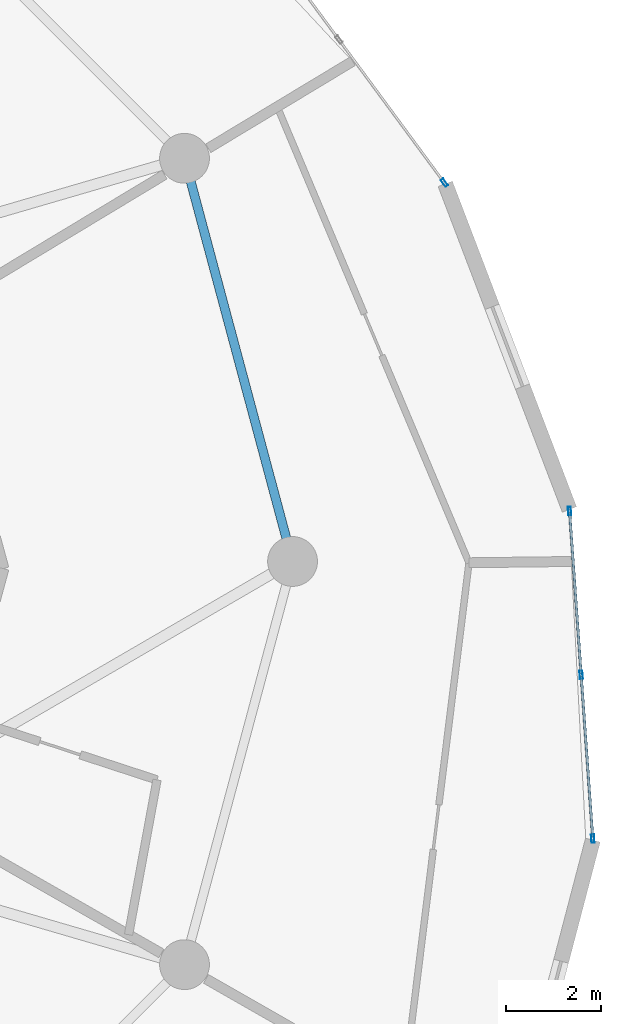
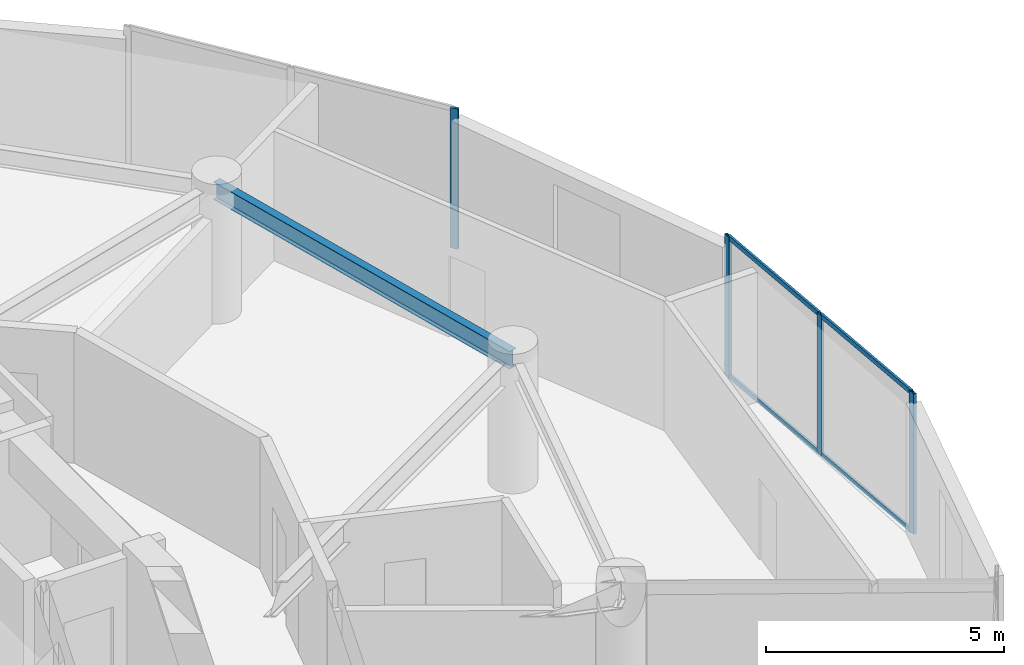
# One storey, part 11 of 22: 8 members, 1 beam, 2 elements without a shape of their own.
"""IFC4 building model written with IfcOpenShell, lengths in metres."""

from ifc_helpers import new_model, si_unit, direction, frame, origin, origin_2d, place, context, subcontext, project, spatial, hollow_rectangle, i_section, extrude, source, transform, mapped, material, layer, layer_set, material_profile, profile_set, type_object, element, aggregate, save


model = new_model("IFC4")

# Units and contexts
model_context = context("Model", 3, precision=1e-05, world=origin(), true_north=direction((0.0, 1.0)))
body_context = subcontext(model_context, "Body", "Model", "MODEL_VIEW")
ifc_project = project(units=[si_unit("LENGTHUNIT", "METRE"), si_unit("AREAUNIT", "SQUARE_METRE"), si_unit("VOLUMEUNIT", "CUBIC_METRE"), si_unit("PLANEANGLEUNIT", "RADIAN"), si_unit("MASSUNIT", "GRAM", prefix="KILO")], contexts=[model_context])

# Site, building, storey
site_placement = place(None, origin())
site = spatial("IfcSite", under=ifc_project, at=site_placement, CompositionType="ELEMENT")
building_placement = place(site_placement, origin())
building = spatial("IfcBuilding", under=site, at=building_placement, Name="Solvirekh Grand Hotel", CompositionType="ELEMENT")
storey_placement = place(building_placement, frame((0.0, 0.0, 149.39990234375)))
storey = spatial("IfcBuildingStorey", under=building, at=storey_placement, Name="L38", CompositionType="ELEMENT", Elevation=149.39990234375)

# Beam
ifc_material_1 = material(Name="Steel S355", Category="steel")
ifc_material_profile_1 = material_profile(ifc_material_1, i_section(OverallWidth=0.18994140625, OverallDepth=0.45703125, WebThickness=0.009033203125, FlangeThickness=0.013916015625, FilletRadius=0.012939453125, at=origin_2d()), Name="W460X74")
ifc_profile_set_1 = profile_set([ifc_material_profile_1], Name="Steel S355")
beam_type = type_object("IfcBeamType", Name="Spandrel_Ring_W460", PredefinedType="SPANDREL", material=ifc_profile_set_1)
beam_placement = place(storey_placement, frame((17.0, 0.0, 3.1220703125), z_axis=(-0.258872908946, 0.965911391906, 0.0), x_axis=(-0.965911391906, -0.258872908946, 0.0)))
element("IfcBeam", 1, at=beam_placement, inside=storey, type_object=beam_type, Name="L38 perimeter spandrel beam 1", PredefinedType="SPANDREL", context=body_context, shape_type="SweptSolid", body=[
    extrude(i_section(OverallWidth=0.18994140625, OverallDepth=0.45703125, WebThickness=0.009033203125, FlangeThickness=0.013916015625, FilletRadius=0.012939453125, at=origin_2d()), origin(), (0.0, 0.0, 1.0), 8.800048828125),
])

# Curtain wall, members
ifc_material_2 = material(Name="Anodized Bronze Aluminium 6063-T6", Category="aluminium")
ifc_layer = layer(ifc_material_2, 0.175048828125)
ifc_layer_set = layer_set([ifc_layer], Name="Anodized Bronze Aluminium 6063-T6")
curtain_wall_type = type_object("IfcCurtainWallType", Name="CW_Sys3_MidZoneFlushBronzeCW", PredefinedType="NOTDEFINED", material=ifc_layer_set)
curtain_wall_1_placement = place(storey_placement, origin())
curtain_wall_1 = element("IfcCurtainWall", 2, at=curtain_wall_1_placement, inside=storey, type_object=curtain_wall_type, Name="L38 unitised bronze-glass curtain wall CW-L38-C03", PredefinedType="NOTDEFINED")
ifc_material_profile_2 = material_profile(ifc_material_2, hollow_rectangle(XDim=0.054931640625, YDim=0.1201171875, WallThickness=0.00390625, at=origin_2d()), Name="ALU RHS 120X55X4")
ifc_profile_set_2 = profile_set([ifc_material_profile_2], Name="Anodized Bronze Aluminium 6063-T6")
member_type_1 = type_object("IfcMemberType", Name="CWTransom_Sys3", PredefinedType="USERDEFINED", material=ifc_profile_set_2)
shared_shape_1 = source(origin(), body_context, "Body", "SweptSolid", [
    extrude(hollow_rectangle(XDim=0.054931640625, YDim=0.1201171875, WallThickness=0.00390625, at=origin_2d()), origin(), (0.0, 0.0, 1.0), 3.397216796875),
])
member_1_placement = place(storey_placement, frame((23.327392578125, -5.81005859375, 0.027587890625), z_axis=(-0.070644383133, 0.997501564476, 0.0), x_axis=(-0.997501564476, -0.070644383133, 0.0)))
member_1 = element("IfcMember", 3, at=member_1_placement, type_object=member_type_1, Name="U03 transom 1.1", ObjectType="TRANSOM", PredefinedType="USERDEFINED", context=body_context, shape_type="MappedRepresentation", body=[
    mapped(shared_shape_1, transform((0.0, 0.0, 0.0), x_axis=(1.0, 0.0, 0.0), y_axis=(0.0, 1.0, 0.0), z_axis=(0.0, 0.0, 1.0), scale=1.0)),
])
member_2_placement = place(storey_placement, frame((23.327392578125, -5.81005859375, 3.572509765625), z_axis=(-0.070644383133, 0.997501564476, 0.0), x_axis=(-0.997501564476, -0.070644383133, 0.0)))
member_2 = element("IfcMember", 4, at=member_2_placement, type_object=member_type_1, Name="U03 transom 1.2", ObjectType="TRANSOM", PredefinedType="USERDEFINED", context=body_context, shape_type="MappedRepresentation", body=[
    mapped(shared_shape_1, transform((0.0, 0.0, 0.0), x_axis=(1.0, 0.0, 0.0), y_axis=(0.0, 1.0, 0.0), z_axis=(0.0, 0.0, 1.0), scale=1.0)),
])
ifc_material_profile_3 = material_profile(ifc_material_2, hollow_rectangle(XDim=0.06494140625, YDim=0.175048828125, WallThickness=0.0048828125, at=origin_2d()), Name="ALU RHS 175X65X5")
ifc_profile_set_3 = profile_set([ifc_material_profile_3], Name="Anodized Bronze Aluminium 6063-T6")
member_type_2 = type_object("IfcMemberType", Name="CWMullion_Sys3", PredefinedType="MULLION", material=ifc_profile_set_3)
shared_shape_2 = source(origin(), body_context, "Body", "SweptSolid", [
    extrude(hollow_rectangle(XDim=0.06494140625, YDim=0.175048828125, WallThickness=0.0048828125, at=origin_2d()), origin(), (0.0, 0.0, 1.0), 3.60009765625),
])
member_3_placement = place(storey_placement, frame((23.32958984375, -5.842529296875, 0.0), z_axis=(0.0, 0.0, 1.0), x_axis=(-0.997499207582, -0.070677654689, 0.0)))
member_3 = element("IfcMember", 5, at=member_3_placement, type_object=member_type_2, Name="U03 mullion 1", PredefinedType="MULLION", context=body_context, shape_type="MappedRepresentation", body=[
    mapped(shared_shape_2, transform((0.0, 0.0, 0.0), x_axis=(1.0, 0.0, 0.0), y_axis=(0.0, 1.0, 0.0), z_axis=(0.0, 0.0, 1.0), scale=1.0)),
])
member_4_placement = place(storey_placement, frame((23.0849609375, -2.388916015625, 0.0), z_axis=(0.0, 0.0, 1.0), x_axis=(-0.997499207582, -0.070677654689, 0.0)))
member_4 = element("IfcMember", 6, at=member_4_placement, type_object=member_type_2, Name="U03 mullion 2", PredefinedType="MULLION", context=body_context, shape_type="MappedRepresentation", body=[
    mapped(shared_shape_2, transform((0.0, 0.0, 0.0), x_axis=(1.0, 0.0, 0.0), y_axis=(0.0, 1.0, 0.0), z_axis=(0.0, 0.0, 1.0), scale=1.0)),
])
member_5_placement = place(storey_placement, frame((22.84033203125, 1.064697265625, 0.0), z_axis=(0.0, 0.0, 1.0), x_axis=(-0.997499207582, -0.070677654689, 0.0)))
member_5 = element("IfcMember", 7, at=member_5_placement, type_object=member_type_2, Name="U03 mullion 3", PredefinedType="MULLION", context=body_context, shape_type="MappedRepresentation", body=[
    mapped(shared_shape_2, transform((0.0, 0.0, 0.0), x_axis=(1.0, 0.0, 0.0), y_axis=(0.0, 1.0, 0.0), z_axis=(0.0, 0.0, 1.0), scale=1.0)),
])

# Curtain wall, member
curtain_wall_2_placement = place(storey_placement, origin())
curtain_wall_2 = element("IfcCurtainWall", 8, at=curtain_wall_2_placement, inside=storey, type_object=curtain_wall_type, Name="L38 unitised bronze-glass curtain wall CW-L38-C05", PredefinedType="NOTDEFINED")
member_6_placement = place(storey_placement, frame((20.20068359375, 7.987060546875, 0.0), z_axis=(0.0, 0.0, 1.0), x_axis=(-0.805035885253, -0.593226114947, 0.0)))
member_6 = element("IfcMember", 9, at=member_6_placement, type_object=member_type_2, Name="U03 mullion 1", PredefinedType="MULLION", context=body_context, shape_type="MappedRepresentation", body=[
    mapped(shared_shape_2, transform((0.0, 0.0, 0.0), x_axis=(1.0, 0.0, 0.0), y_axis=(0.0, 1.0, 0.0), z_axis=(0.0, 0.0, 1.0), scale=1.0)),
])
aggregate(curtain_wall_2, [member_6])

# Member
shared_shape_3 = source(origin(), body_context, "Body", "SweptSolid", [
    extrude(hollow_rectangle(XDim=0.054931640625, YDim=0.1201171875, WallThickness=0.00390625, at=origin_2d()), origin(), (0.0, 0.0, 1.0), 3.3974609375),
])
member_7_placement = place(storey_placement, frame((23.082763671875, -2.356689453125, 0.027587890625), z_axis=(-0.070710821073, 0.997496857029, 0.0), x_axis=(-0.997496857029, -0.070710821073, 0.0)))
member_7 = element("IfcMember", 10, at=member_7_placement, type_object=member_type_1, Name="U03 transom 2.1", ObjectType="TRANSOM", PredefinedType="USERDEFINED", context=body_context, shape_type="MappedRepresentation", body=[
    mapped(shared_shape_3, transform((0.0, 0.0, 0.0), x_axis=(1.0, 0.0, 0.0), y_axis=(0.0, 1.0, 0.0), z_axis=(0.0, 0.0, 1.0), scale=1.0)),
])

member_8_placement = place(storey_placement, frame((23.082763671875, -2.356689453125, 3.572509765625), z_axis=(-0.070710821073, 0.997496857029, 0.0), x_axis=(-0.997496857029, -0.070710821073, 0.0)))
member_8 = element("IfcMember", 11, at=member_8_placement, type_object=member_type_1, Name="U03 transom 2.2", ObjectType="TRANSOM", PredefinedType="USERDEFINED", context=body_context, shape_type="MappedRepresentation", body=[
    mapped(shared_shape_3, transform((0.0, 0.0, 0.0), x_axis=(1.0, 0.0, 0.0), y_axis=(0.0, 1.0, 0.0), z_axis=(0.0, 0.0, 1.0), scale=1.0)),
])

aggregate(curtain_wall_1, [member_3, member_4, member_5, member_1, member_2, member_7, member_8])

save(model, "model.ifc")
